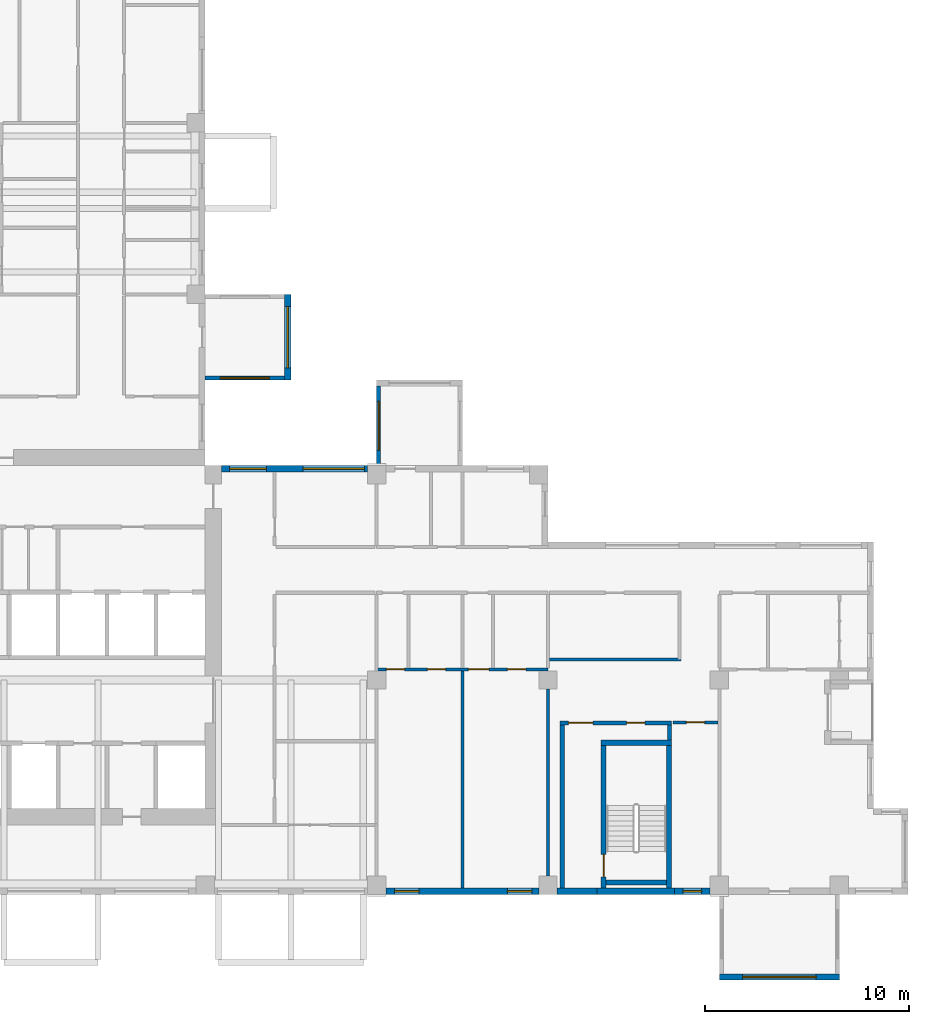
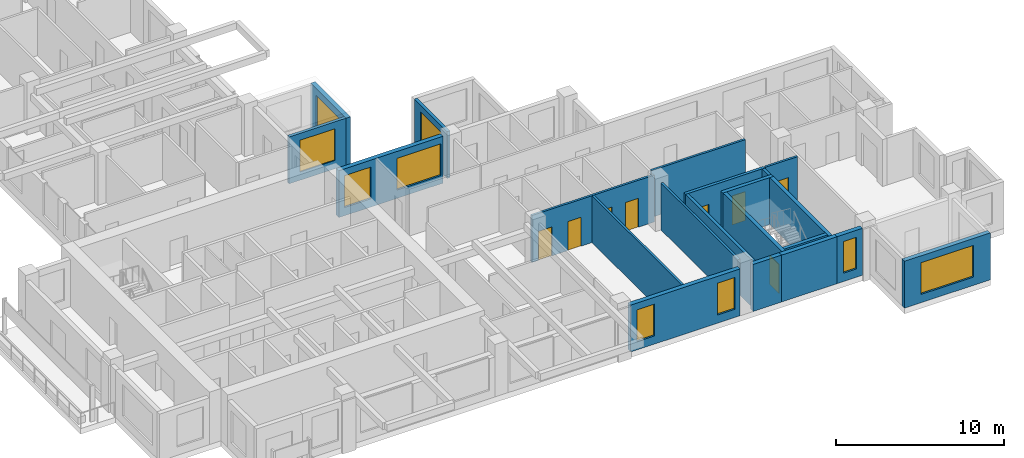
# One storey, part 4 of 12: 21 walls, 9 windows, 8 doors, 17 openings.
"""IFC4 building model written with IfcOpenShell, lengths in metres."""

from ifc_helpers import new_model, si_unit, direction, frame, frame_2d, origin, place, context, subcontext, project, spatial, rectangle, extrude, source, transform, mapped, material, layer, layer_set, type_object, element, fill, save


model = new_model("IFC4")

# Units and contexts
model_context = context("Model", 3, precision=1e-05, world=origin(), true_north=direction((0.0, 1.0)))
body_context = subcontext(model_context, "Body", "Model", "MODEL_VIEW")
ifc_project = project(units=[si_unit("LENGTHUNIT", "METRE"), si_unit("AREAUNIT", "SQUARE_METRE"), si_unit("VOLUMEUNIT", "CUBIC_METRE"), si_unit("PLANEANGLEUNIT", "RADIAN"), si_unit("MASSUNIT", "GRAM", prefix="KILO")], contexts=[model_context])

# Site, building, storey
site_placement = place(None, origin())
site = spatial("IfcSite", under=ifc_project, at=site_placement, CompositionType="ELEMENT")
building_placement = place(site_placement, origin())
building = spatial("IfcBuilding", under=site, at=building_placement, Name="Aurelian Terraces", CompositionType="ELEMENT")
storey_placement = place(building_placement, frame((0.0, 0.0, 215.8)))
storey = spatial("IfcBuildingStorey", under=building, at=storey_placement, Name="L48", CompositionType="ELEMENT", Elevation=215.8)

# Wall, openings, windows
ifc_material_1 = material(Name="Terracotta rainscreen cladding", Category="masonry")
ifc_layer_1 = layer(ifc_material_1, 0.3)
ifc_layer_set_1 = layer_set([ifc_layer_1], Name="EW-300")
wall_type_1 = type_object("IfcWallType", Name="EW-300", PredefinedType="STANDARD", material=ifc_layer_set_1)
shared_shape_1 = source(origin(), body_context, "Body", "SweptSolid", [
    extrude(rectangle(XDim=7.15, YDim=0.3, at=frame_2d((3.575, 0.0))), origin(), (0.0, 0.0, 1.0), 3.4),
])
wall_1_placement = place(storey_placement, frame((28.95, 20.85, 0.0), z_axis=(0.0, 0.0, 1.0), x_axis=(-1.0, 0.0, 0.0)))
wall_1 = element("IfcWall", 1, at=wall_1_placement, inside=storey, type_object=wall_type_1, Name="External wall L48 F07.17", PredefinedType="STANDARD", context=body_context, shape_type="MappedRepresentation", body=[
    mapped(shared_shape_1, transform((0.0, 0.0, 0.0), scale=1.0)),
])
shared_shape_2 = source(origin(), body_context, "Body", "SweptSolid", [
    extrude(rectangle(XDim=3.0, YDim=2.3, at=frame_2d((1.5, 1.15))), frame((0.0, 0.16, 0.0), z_axis=(0.0, -1.0, 0.0), x_axis=(1.0, 0.0, 0.0)), (0.0, 0.0, 1.0), 0.32),
])
opening_1_placement = place(wall_1_placement, frame((0.15, 0.0, 0.6)))
opening_1 = element("IfcOpeningElement", 2, at=opening_1_placement, cuts=wall_1, Name="Opening W3023", PredefinedType="OPENING", context=body_context, shape_type="MappedRepresentation", body=[
    mapped(shared_shape_2, transform((0.0, 0.0, 0.0), scale=1.0)),
])
shared_shape_3 = source(origin(), body_context, "Body", "SweptSolid", [
    extrude(rectangle(XDim=1.8, YDim=2.3, at=frame_2d((0.9, 1.15))), frame((0.0, 0.16, 0.0), z_axis=(0.0, -1.0, 0.0), x_axis=(1.0, 0.0, 0.0)), (0.0, 0.0, 1.0), 0.32),
])
opening_2_placement = place(wall_1_placement, frame((4.95, 0.0, 0.6)))
opening_2 = element("IfcOpeningElement", 3, at=opening_2_placement, cuts=wall_1, Name="Opening W1823", PredefinedType="OPENING", context=body_context, shape_type="MappedRepresentation", body=[
    mapped(shared_shape_3, transform((0.0, 0.0, 0.0), scale=1.0)),
])
ifc_material_2 = material(Name="Clear glazing", Category="glass")
window_type_1 = type_object("IfcWindowType", Name="W-3000x2300", PartitioningType="SINGLE_PANEL", PredefinedType="WINDOW", material=ifc_material_2)
shared_shape_4 = source(origin(), body_context, "Body", "SweptSolid", [
    extrude(rectangle(XDim=3.0, YDim=2.3, at=frame_2d((1.5, 1.15))), frame((0.0, 0.03, 0.0), z_axis=(0.0, -1.0, 0.0), x_axis=(1.0, 0.0, 0.0)), (0.0, 0.0, 1.0), 0.06),
])
window_1_placement = place(opening_1_placement, origin())
window_1 = element("IfcWindow", 4, at=window_1_placement, inside=storey, type_object=window_type_1, Name="Window L48 L48-F07-17-0", OverallHeight=2.3, OverallWidth=3.0, PartitioningType="SINGLE_PANEL", PredefinedType="WINDOW", context=body_context, shape_type="MappedRepresentation", body=[
    mapped(shared_shape_4, transform((0.0, 0.0, 0.0), scale=1.0)),
])
fill(opening_1, window_1)
window_type_2 = type_object("IfcWindowType", Name="W-1800x2300", PartitioningType="SINGLE_PANEL", PredefinedType="WINDOW", material=ifc_material_2)
shared_shape_5 = source(origin(), body_context, "Body", "SweptSolid", [
    extrude(rectangle(XDim=1.8, YDim=2.3, at=frame_2d((0.9, 1.15))), frame((0.0, 0.03, 0.0), z_axis=(0.0, -1.0, 0.0), x_axis=(1.0, 0.0, 0.0)), (0.0, 0.0, 1.0), 0.06),
])
window_2_placement = place(opening_2_placement, origin())
window_2 = element("IfcWindow", 5, at=window_2_placement, inside=storey, type_object=window_type_2, Name="Window L48 L48-F07-17-1", OverallHeight=2.3, OverallWidth=1.8, PartitioningType="SINGLE_PANEL", PredefinedType="WINDOW", context=body_context, shape_type="MappedRepresentation", body=[
    mapped(shared_shape_5, transform((0.0, 0.0, 0.0), scale=1.0)),
])
fill(opening_2, window_2)

shared_shape_6 = source(origin(), body_context, "Body", "SweptSolid", [
    extrude(rectangle(XDim=7.5, YDim=0.3, at=frame_2d((3.75, 0.0))), origin(), (0.0, 0.0, 1.0), 3.4),
])
wall_2_placement = place(storey_placement, frame((29.85, 0.15, 0.0), z_axis=(0.0, 0.0, 1.0), x_axis=(1.0, 0.0, 0.0)))
wall_2 = element("IfcWall", 6, at=wall_2_placement, inside=storey, type_object=wall_type_1, Name="External wall L48 F01.5", PredefinedType="STANDARD", context=body_context, shape_type="MappedRepresentation", body=[
    mapped(shared_shape_6, transform((0.0, 0.0, 0.0), scale=1.0)),
])
shared_shape_7 = source(origin(), body_context, "Body", "SweptSolid", [
    extrude(rectangle(XDim=1.2, YDim=2.3, at=frame_2d((0.6, 1.15))), frame((0.0, 0.16, 0.0), z_axis=(0.0, -1.0, 0.0), x_axis=(1.0, 0.0, 0.0)), (0.0, 0.0, 1.0), 0.32),
])
opening_3_placement = place(wall_2_placement, frame((0.4375, 0.0, 0.6)))
opening_3 = element("IfcOpeningElement", 7, at=opening_3_placement, cuts=wall_2, Name="Opening W1223", PredefinedType="OPENING", context=body_context, shape_type="MappedRepresentation", body=[
    mapped(shared_shape_7, transform((0.0, 0.0, 0.0), scale=1.0)),
])
opening_4_placement = place(wall_2_placement, frame((5.9625, 0.0, 0.6)))
opening_4 = element("IfcOpeningElement", 8, at=opening_4_placement, cuts=wall_2, Name="Opening W1223", PredefinedType="OPENING", context=body_context, shape_type="MappedRepresentation", body=[
    mapped(shared_shape_7, transform((0.0, 0.0, 0.0), scale=1.0)),
])
window_type_3 = type_object("IfcWindowType", Name="W-1200x2300", PartitioningType="SINGLE_PANEL", PredefinedType="WINDOW", material=ifc_material_2)
shared_shape_8 = source(origin(), body_context, "Body", "SweptSolid", [
    extrude(rectangle(XDim=1.2, YDim=2.3, at=frame_2d((0.6, 1.15))), frame((0.0, 0.03, 0.0), z_axis=(0.0, -1.0, 0.0), x_axis=(1.0, 0.0, 0.0)), (0.0, 0.0, 1.0), 0.06),
])
window_3_placement = place(opening_3_placement, origin())
window_3 = element("IfcWindow", 9, at=window_3_placement, inside=storey, type_object=window_type_3, Name="Window L48 L48-F01-05-0", OverallHeight=2.3, OverallWidth=1.2, PartitioningType="SINGLE_PANEL", PredefinedType="WINDOW", context=body_context, shape_type="MappedRepresentation", body=[
    mapped(shared_shape_8, transform((0.0, 0.0, 0.0), scale=1.0)),
])
fill(opening_3, window_3)
window_4_placement = place(opening_4_placement, origin())
window_4 = element("IfcWindow", 10, at=window_4_placement, inside=storey, type_object=window_type_3, Name="Window L48 L48-F01-05-1", OverallHeight=2.3, OverallWidth=1.2, PartitioningType="SINGLE_PANEL", PredefinedType="WINDOW", context=body_context, shape_type="MappedRepresentation", body=[
    mapped(shared_shape_8, transform((0.0, 0.0, 0.0), scale=1.0)),
])
fill(opening_4, window_4)

# Wall, opening, window
ifc_material_3 = material(Name="Concrete fc' 40 MPa", Category="concrete")
ifc_layer_2 = layer(ifc_material_3, 0.2)
ifc_layer_set_2 = layer_set([ifc_layer_2], Name="BOX BEARING WALL 200")
wall_type_2 = type_object("IfcWallType", Name="BOX BEARING WALL 200", PredefinedType="SOLIDWALL", material=ifc_layer_set_2)
shared_shape_9 = source(origin(), body_context, "Body", "SweptSolid", [
    extrude(rectangle(XDim=3.9, YDim=0.2, at=frame_2d((1.95, 0.0))), origin(), (0.0, 0.0, 1.0), 3.39),
])
wall_3_placement = place(storey_placement, frame((29.5, 21.0, 0.0), z_axis=(0.0, 0.0, 1.0), x_axis=(0.0, 1.0, 0.0)))
wall_3 = element("IfcWall", 11, at=wall_3_placement, inside=storey, type_object=wall_type_2, Name="Box return L48 J69.2", PredefinedType="SOLIDWALL", context=body_context, shape_type="MappedRepresentation", body=[
    mapped(shared_shape_9, transform((0.0, 0.0, 0.0), scale=1.0)),
])
shared_shape_10 = source(origin(), body_context, "Body", "SweptSolid", [
    extrude(rectangle(XDim=2.4, YDim=2.3, at=frame_2d((1.2, 1.15))), frame((0.0, 0.11, 0.0), z_axis=(0.0, -1.0, 0.0), x_axis=(1.0, 0.0, 0.0)), (0.0, 0.0, 1.0), 0.22),
])
opening_5_placement = place(wall_3_placement, frame((0.75, 0.0, 0.6)))
opening_5 = element("IfcOpeningElement", 12, at=opening_5_placement, cuts=wall_3, Name="Opening W2423", PredefinedType="OPENING", context=body_context, shape_type="MappedRepresentation", body=[
    mapped(shared_shape_10, transform((0.0, 0.0, 0.0), scale=1.0)),
])
window_type_4 = type_object("IfcWindowType", Name="W-2400x2300", PartitioningType="SINGLE_PANEL", PredefinedType="WINDOW", material=ifc_material_2)
shared_shape_11 = source(origin(), body_context, "Body", "SweptSolid", [
    extrude(rectangle(XDim=2.4, YDim=2.3, at=frame_2d((1.2, 1.15))), frame((0.0, 0.03, 0.0), z_axis=(0.0, -1.0, 0.0), x_axis=(1.0, 0.0, 0.0)), (0.0, 0.0, 1.0), 0.06),
])
window_5_placement = place(opening_5_placement, origin())
window_5 = element("IfcWindow", 13, at=window_5_placement, inside=storey, type_object=window_type_4, Name="Window L48 J69-S2", OverallHeight=2.3, OverallWidth=2.4, PartitioningType="SINGLE_PANEL", PredefinedType="WINDOW", context=body_context, shape_type="MappedRepresentation", body=[
    mapped(shared_shape_11, transform((0.0, 0.0, 0.0), scale=1.0)),
])
fill(opening_5, window_5)

shared_shape_12 = source(origin(), body_context, "Body", "SweptSolid", [
    extrude(rectangle(XDim=3.9, YDim=0.2, at=frame_2d((1.95, 0.0))), origin(), (0.0, 0.0, 1.0), 3.4),
])
wall_4_placement = place(storey_placement, frame((21.0, 25.3, 0.0), z_axis=(0.0, 0.0, 1.0), x_axis=(1.0, 0.0, 0.0)))
wall_4 = element("IfcWall", 14, at=wall_4_placement, inside=storey, type_object=wall_type_2, Name="Box return L48 J68.1", PredefinedType="SOLIDWALL", context=body_context, shape_type="MappedRepresentation", body=[
    mapped(shared_shape_12, transform((0.0, 0.0, 0.0), scale=1.0)),
])
opening_6_placement = place(wall_4_placement, frame((0.75, 0.0, 0.6)))
opening_6 = element("IfcOpeningElement", 15, at=opening_6_placement, cuts=wall_4, Name="Opening W2423", PredefinedType="OPENING", context=body_context, shape_type="MappedRepresentation", body=[
    mapped(shared_shape_10, transform((0.0, 0.0, 0.0), scale=1.0)),
])
window_6_placement = place(opening_6_placement, origin())
window_6 = element("IfcWindow", 16, at=window_6_placement, inside=storey, type_object=window_type_4, Name="Window L48 J68-S1", OverallHeight=2.3, OverallWidth=2.4, PartitioningType="SINGLE_PANEL", PredefinedType="WINDOW", context=body_context, shape_type="MappedRepresentation", body=[
    mapped(shared_shape_11, transform((0.0, 0.0, 0.0), scale=1.0)),
])
fill(opening_6, window_6)

ifc_layer_3 = layer(ifc_material_3, 0.3)
ifc_layer_set_3 = layer_set([ifc_layer_3], Name="BOX BEARING WALL 300")
wall_type_3 = type_object("IfcWallType", Name="BOX BEARING WALL 300", PredefinedType="SOLIDWALL", material=ifc_layer_set_3)
shared_shape_13 = source(origin(), body_context, "Body", "SweptSolid", [
    extrude(rectangle(XDim=4.2, YDim=0.3, at=frame_2d((2.1, 0.0))), origin(), (0.0, 0.0, 1.0), 3.4),
])
wall_5_placement = place(storey_placement, frame((25.05, 25.2, 0.0), z_axis=(0.0, 0.0, 1.0), x_axis=(0.0, 1.0, 0.0)))
wall_5 = element("IfcWall", 17, at=wall_5_placement, inside=storey, type_object=wall_type_3, Name="Box wall L48 J68", PredefinedType="SOLIDWALL", context=body_context, shape_type="MappedRepresentation", body=[
    mapped(shared_shape_13, transform((0.0, 0.0, 0.0), scale=1.0)),
])
opening_7_placement = place(wall_5_placement, frame((0.6, 0.0, 0.6)))
opening_7 = element("IfcOpeningElement", 18, at=opening_7_placement, cuts=wall_5, Name="Opening W3023", PredefinedType="OPENING", context=body_context, shape_type="MappedRepresentation", body=[
    mapped(shared_shape_2, transform((0.0, 0.0, 0.0), scale=1.0)),
])
window_7_placement = place(opening_7_placement, origin())
window_7 = element("IfcWindow", 19, at=window_7_placement, inside=storey, type_object=window_type_1, Name="Window L48 J68-F1", OverallHeight=2.3, OverallWidth=3.0, PartitioningType="SINGLE_PANEL", PredefinedType="WINDOW", context=body_context, shape_type="MappedRepresentation", body=[
    mapped(shared_shape_4, transform((0.0, 0.0, 0.0), scale=1.0)),
])
fill(opening_7, window_7)

# Walls
shared_shape_14 = source(origin(), body_context, "Body", "SweptSolid", [
    extrude(rectangle(XDim=1.95, YDim=0.3, at=frame_2d((0.975, 0.0))), origin(), (0.0, 0.0, 1.0), 3.4),
])
wall_6_placement = place(storey_placement, frame((38.25, 0.15, 0.0), z_axis=(0.0, 0.0, 1.0), x_axis=(1.0, 0.0, 0.0)))
element("IfcWall", 20, at=wall_6_placement, inside=storey, type_object=wall_type_1, Name="External wall L48 F01.6", PredefinedType="STANDARD", context=body_context, shape_type="MappedRepresentation", body=[
    mapped(shared_shape_14, transform((0.0, 0.0, 0.0), scale=1.0)),
])
ifc_layer_4 = layer(ifc_material_3, 0.3)
ifc_layer_set_4 = layer_set([ifc_layer_4], Name="STAIR BAY WALL 300")
wall_type_4 = type_object("IfcWallType", Name="STAIR BAY WALL 300", PredefinedType="SOLIDWALL", material=ifc_layer_set_4)
shared_shape_15 = source(origin(), body_context, "Body", "SweptSolid", [
    extrude(rectangle(XDim=3.8, YDim=0.3, at=frame_2d((1.9, 0.0))), origin(), (0.0, 0.0, 1.0), 3.4),
])
wall_7_placement = place(storey_placement, frame((40.2, 0.15, 0.0), z_axis=(0.0, 0.0, 1.0), x_axis=(1.0, 0.0, 0.0)))
element("IfcWall", 21, at=wall_7_placement, inside=storey, type_object=wall_type_4, Name="Stair bay wall L48 F01.6", PredefinedType="SOLIDWALL", context=body_context, shape_type="MappedRepresentation", body=[
    mapped(shared_shape_15, transform((0.0, 0.0, 0.0), scale=1.0)),
])

# Wall, opening, window
shared_shape_16 = source(origin(), body_context, "Body", "SweptSolid", [
    extrude(rectangle(XDim=1.75, YDim=0.3, at=frame_2d((0.875, 0.0))), origin(), (0.0, 0.0, 1.0), 3.4),
])
wall_8_placement = place(storey_placement, frame((44.0, 0.15, 0.0), z_axis=(0.0, 0.0, 1.0), x_axis=(1.0, 0.0, 0.0)))
wall_8 = element("IfcWall", 22, at=wall_8_placement, inside=storey, type_object=wall_type_1, Name="External wall L48 F01.6", PredefinedType="STANDARD", context=body_context, shape_type="MappedRepresentation", body=[
    mapped(shared_shape_16, transform((0.0, 0.0, 0.0), scale=1.0)),
])
shared_shape_17 = source(origin(), body_context, "Body", "SweptSolid", [
    extrude(rectangle(XDim=0.9, YDim=2.3, at=frame_2d((0.45, 1.15))), frame((0.0, 0.16, 0.0), z_axis=(0.0, -1.0, 0.0), x_axis=(1.0, 0.0, 0.0)), (0.0, 0.0, 1.0), 0.32),
])
opening_8_placement = place(wall_8_placement, frame((0.425, 0.0, 0.6)))
opening_8 = element("IfcOpeningElement", 23, at=opening_8_placement, cuts=wall_8, Name="Opening W0923", PredefinedType="OPENING", context=body_context, shape_type="MappedRepresentation", body=[
    mapped(shared_shape_17, transform((0.0, 0.0, 0.0), scale=1.0)),
])
window_type_5 = type_object("IfcWindowType", Name="W-900x2300", PartitioningType="SINGLE_PANEL", PredefinedType="WINDOW", material=ifc_material_2)
shared_shape_18 = source(origin(), body_context, "Body", "SweptSolid", [
    extrude(rectangle(XDim=0.9, YDim=2.3, at=frame_2d((0.45, 1.15))), frame((0.0, 0.03, 0.0), z_axis=(0.0, -1.0, 0.0), x_axis=(1.0, 0.0, 0.0)), (0.0, 0.0, 1.0), 0.06),
])
window_8_placement = place(opening_8_placement, origin())
window_8 = element("IfcWindow", 24, at=window_8_placement, inside=storey, type_object=window_type_5, Name="Window L48 L48-F01-06-P2", OverallHeight=2.3, OverallWidth=0.9, PartitioningType="SINGLE_PANEL", PredefinedType="WINDOW", context=body_context, shape_type="MappedRepresentation", body=[
    mapped(shared_shape_18, transform((0.0, 0.0, 0.0), scale=1.0)),
])
fill(opening_8, window_8)

shared_shape_19 = source(origin(), body_context, "Body", "SweptSolid", [
    extrude(rectangle(XDim=5.88, YDim=0.3, at=frame_2d((2.94, 0.0))), origin(), (0.0, 0.0, 1.0), 3.4),
])
wall_9_placement = place(storey_placement, frame((46.2, -4.05, 0.0), z_axis=(0.0, 0.0, 1.0), x_axis=(1.0, 0.0, 0.0)))
wall_9 = element("IfcWall", 25, at=wall_9_placement, inside=storey, type_object=wall_type_3, Name="Box wall L48 J67", PredefinedType="SOLIDWALL", context=body_context, shape_type="MappedRepresentation", body=[
    mapped(shared_shape_19, transform((0.0, 0.0, 0.0), scale=1.0)),
])
shared_shape_20 = source(origin(), body_context, "Body", "SweptSolid", [
    extrude(rectangle(XDim=3.6, YDim=2.3, at=frame_2d((1.8, 1.15))), frame((0.0, 0.16, 0.0), z_axis=(0.0, -1.0, 0.0), x_axis=(1.0, 0.0, 0.0)), (0.0, 0.0, 1.0), 0.32),
])
opening_9_placement = place(wall_9_placement, frame((1.14, 0.0, 0.6)))
opening_9 = element("IfcOpeningElement", 26, at=opening_9_placement, cuts=wall_9, Name="Opening W3623", PredefinedType="OPENING", context=body_context, shape_type="MappedRepresentation", body=[
    mapped(shared_shape_20, transform((0.0, 0.0, 0.0), scale=1.0)),
])
window_type_6 = type_object("IfcWindowType", Name="W-3600x2300", PartitioningType="SINGLE_PANEL", PredefinedType="WINDOW", material=ifc_material_2)
shared_shape_21 = source(origin(), body_context, "Body", "SweptSolid", [
    extrude(rectangle(XDim=3.6, YDim=2.3, at=frame_2d((1.8, 1.15))), frame((0.0, 0.03, 0.0), z_axis=(0.0, -1.0, 0.0), x_axis=(1.0, 0.0, 0.0)), (0.0, 0.0, 1.0), 0.06),
])
window_9_placement = place(opening_9_placement, origin())
window_9 = element("IfcWindow", 27, at=window_9_placement, inside=storey, type_object=window_type_6, Name="Window L48 J67-F1", OverallHeight=2.3, OverallWidth=3.6, PartitioningType="SINGLE_PANEL", PredefinedType="WINDOW", context=body_context, shape_type="MappedRepresentation", body=[
    mapped(shared_shape_21, transform((0.0, 0.0, 0.0), scale=1.0)),
])
fill(opening_9, window_9)

# Wall, opening, door
ifc_layer_5 = layer(ifc_material_3, 0.25)
ifc_layer_set_5 = layer_set([ifc_layer_5], Name="Stair enclosure wall 250")
wall_type_5 = type_object("IfcWallType", Name="Stair enclosure wall 250", PredefinedType="SOLIDWALL", material=ifc_layer_set_5)
shared_shape_22 = source(origin(), body_context, "Body", "SweptSolid", [
    extrude(rectangle(XDim=7.0, YDim=0.25, at=frame_2d((3.5, 0.0))), origin(), (0.0, 0.0, 1.0), 3.4),
])
wall_10_placement = place(storey_placement, frame((40.525, 0.3, 0.0), z_axis=(0.0, 0.0, 1.0), x_axis=(0.0, 1.0, 0.0)))
wall_10 = element("IfcWall", 28, at=wall_10_placement, inside=storey, type_object=wall_type_5, Name="L48 core wall ST-S2-W", PredefinedType="SOLIDWALL", context=body_context, shape_type="MappedRepresentation", body=[
    mapped(shared_shape_22, transform((0.0, 0.0, 0.0), scale=1.0)),
])
shared_shape_23 = source(origin(), body_context, "Body", "SweptSolid", [
    extrude(rectangle(XDim=1.1, YDim=2.1, at=frame_2d((0.55, 1.05))), frame((0.0, 0.135, 0.0), z_axis=(0.0, -1.0, 0.0), x_axis=(1.0, 0.0, 0.0)), (0.0, 0.0, 1.0), 0.27),
])
opening_10_placement = place(wall_10_placement, frame((0.55, 0.0, 0.0)))
opening_10 = element("IfcOpeningElement", 29, at=opening_10_placement, cuts=wall_10, Name="Opening 65117", PredefinedType="OPENING", context=body_context, shape_type="MappedRepresentation", body=[
    mapped(shared_shape_23, transform((0.0, 0.0, 0.0), scale=1.0)),
])
ifc_material_4 = material(Name="Steel door leaf", Category="steel")
door_type_1 = type_object("IfcDoorType", Name="Core fire door 1100x2100", OperationType="SINGLE_SWING_LEFT", PredefinedType="DOOR", material=ifc_material_4)
shared_shape_24 = source(origin(), body_context, "Body", "SweptSolid", [
    extrude(rectangle(XDim=1.1, YDim=2.1, at=frame_2d((0.55, 1.05))), frame((0.0, 0.025, 0.0), z_axis=(0.0, -1.0, 0.0), x_axis=(1.0, 0.0, 0.0)), (0.0, 0.0, 1.0), 0.05),
])
door_1_placement = place(opening_10_placement, origin())
door_1 = element("IfcDoor", 30, at=door_1_placement, inside=storey, type_object=door_type_1, Name="Stair door 65117", OperationType="SINGLE_SWING_LEFT", OverallHeight=2.1, OverallWidth=1.1, PredefinedType="DOOR", context=body_context, shape_type="MappedRepresentation", body=[
    mapped(shared_shape_24, transform((0.0, 0.0, 0.0), scale=1.0)),
])
fill(opening_10, door_1)

# Walls
wall_11_placement = place(storey_placement, frame((43.725, 0.3, 0.0), z_axis=(0.0, 0.0, 1.0), x_axis=(0.0, 1.0, 0.0)))
element("IfcWall", 31, at=wall_11_placement, inside=storey, type_object=wall_type_5, Name="L48 core wall ST-S2-E", PredefinedType="SOLIDWALL", context=body_context, shape_type="MappedRepresentation", body=[
    mapped(shared_shape_22, transform((0.0, 0.0, 0.0), scale=1.0)),
])
shared_shape_25 = source(origin(), body_context, "Body", "SweptSolid", [
    extrude(rectangle(XDim=3.45, YDim=0.25, at=frame_2d((1.725, 0.0))), origin(), (0.0, 0.0, 1.0), 3.4),
])
wall_12_placement = place(storey_placement, frame((40.4, 7.425, 0.0), z_axis=(0.0, 0.0, 1.0), x_axis=(1.0, 0.0, 0.0)))
element("IfcWall", 32, at=wall_12_placement, inside=storey, type_object=wall_type_5, Name="L48 core wall ST-S2-N", PredefinedType="SOLIDWALL", context=body_context, shape_type="MappedRepresentation", body=[
    mapped(shared_shape_25, transform((0.0, 0.0, 0.0), scale=1.0)),
])
shared_shape_26 = source(origin(), body_context, "Body", "SweptSolid", [
    extrude(rectangle(XDim=2.95, YDim=0.25, at=frame_2d((1.475, 0.0))), origin(), (0.0, 0.0, 1.0), 3.4),
])
wall_13_placement = place(storey_placement, frame((40.65, 0.575, 0.0), z_axis=(0.0, 0.0, 1.0), x_axis=(1.0, 0.0, 0.0)))
element("IfcWall", 33, at=wall_13_placement, inside=storey, type_object=wall_type_5, Name="L48 core wall ST-S2-SS", PredefinedType="SOLIDWALL", context=body_context, shape_type="MappedRepresentation", body=[
    mapped(shared_shape_26, transform((0.0, 0.0, 0.0), scale=1.0)),
])

# Wall, openings, doors
ifc_material_5 = material(Name="Gypsum board on steel studs", Category="steel")
ifc_layer_6 = layer(ifc_material_5, 0.2)
ifc_layer_set_6 = layer_set([ifc_layer_6], Name="Core partition 200")
wall_type_6 = type_object("IfcWallType", Name="Core partition 200", PredefinedType="PARTITIONING", material=ifc_layer_set_6)
shared_shape_27 = source(origin(), body_context, "Body", "SweptSolid", [
    extrude(rectangle(XDim=5.45, YDim=0.2, at=frame_2d((2.725, 0.0))), origin(), (0.0, 0.0, 1.0), 3.4),
])
wall_14_placement = place(storey_placement, frame((38.4, 8.4, 0.0), z_axis=(0.0, 0.0, 1.0), x_axis=(1.0, 0.0, 0.0)))
wall_14 = element("IfcWall", 34, at=wall_14_placement, inside=storey, type_object=wall_type_6, Name="L48 core wall ST-S2-BN", PredefinedType="PARTITIONING", context=body_context, shape_type="MappedRepresentation", body=[
    mapped(shared_shape_27, transform((0.0, 0.0, 0.0), scale=1.0)),
])
shared_shape_28 = source(origin(), body_context, "Body", "SweptSolid", [
    extrude(rectangle(XDim=1.2, YDim=2.1, at=frame_2d((0.6, 1.05))), frame((0.0, 0.11, 0.0), z_axis=(0.0, -1.0, 0.0), x_axis=(1.0, 0.0, 0.0)), (0.0, 0.0, 1.0), 0.22),
])
opening_11_placement = place(wall_14_placement, frame((0.4, 0.0, 0.0)))
opening_11 = element("IfcOpeningElement", 35, at=opening_11_placement, cuts=wall_14, Name="Opening 65118", PredefinedType="OPENING", context=body_context, shape_type="MappedRepresentation", body=[
    mapped(shared_shape_28, transform((0.0, 0.0, 0.0), scale=1.0)),
])
shared_shape_29 = source(origin(), body_context, "Body", "SweptSolid", [
    extrude(rectangle(XDim=0.9, YDim=2.1, at=frame_2d((0.45, 1.05))), frame((0.0, 0.11, 0.0), z_axis=(0.0, -1.0, 0.0), x_axis=(1.0, 0.0, 0.0)), (0.0, 0.0, 1.0), 0.22),
])
opening_12_placement = place(wall_14_placement, frame((3.25, 0.0, 0.0)))
opening_12 = element("IfcOpeningElement", 36, at=opening_12_placement, cuts=wall_14, Name="Opening 65119", PredefinedType="OPENING", context=body_context, shape_type="MappedRepresentation", body=[
    mapped(shared_shape_29, transform((0.0, 0.0, 0.0), scale=1.0)),
])
door_type_2 = type_object("IfcDoorType", Name="Core riser door 900x2100", OperationType="SINGLE_SWING_LEFT", PredefinedType="DOOR", material=ifc_material_4)
shared_shape_30 = source(origin(), body_context, "Body", "SweptSolid", [
    extrude(rectangle(XDim=0.9, YDim=2.1, at=frame_2d((0.45, 1.05))), frame((0.0, 0.025, 0.0), z_axis=(0.0, -1.0, 0.0), x_axis=(1.0, 0.0, 0.0)), (0.0, 0.0, 1.0), 0.05),
])
door_2_placement = place(opening_12_placement, origin())
door_2 = element("IfcDoor", 37, at=door_2_placement, inside=storey, type_object=door_type_2, Name="Riser door 65119", OperationType="SINGLE_SWING_LEFT", OverallHeight=2.1, OverallWidth=0.9, PredefinedType="DOOR", context=body_context, shape_type="MappedRepresentation", body=[
    mapped(shared_shape_30, transform((0.0, 0.0, 0.0), scale=1.0)),
])
fill(opening_12, door_2)
door_type_3 = type_object("IfcDoorType", Name="Core fire door 1200x2100 right", OperationType="SINGLE_SWING_RIGHT", PredefinedType="DOOR", material=ifc_material_4)
shared_shape_31 = source(origin(), body_context, "Body", "SweptSolid", [
    extrude(rectangle(XDim=1.2, YDim=2.1, at=frame_2d((0.6, 1.05))), frame((0.0, 0.025, 0.0), z_axis=(0.0, -1.0, 0.0), x_axis=(1.0, 0.0, 0.0)), (0.0, 0.0, 1.0), 0.05),
])
door_3_placement = place(opening_11_placement, origin())
door_3 = element("IfcDoor", 38, at=door_3_placement, inside=storey, type_object=door_type_3, Name="Vestibule door 65118", OperationType="SINGLE_SWING_RIGHT", OverallHeight=2.1, OverallWidth=1.2, PredefinedType="DOOR", context=body_context, shape_type="MappedRepresentation", body=[
    mapped(shared_shape_31, transform((0.0, 0.0, 0.0), scale=1.0)),
])
fill(opening_11, door_3)

# Walls
shared_shape_32 = source(origin(), body_context, "Body", "SweptSolid", [
    extrude(rectangle(XDim=0.75, YDim=0.2, at=frame_2d((0.375, 0.0))), origin(), (0.0, 0.0, 1.0), 3.4),
])
wall_15_placement = place(storey_placement, frame((43.75, 7.55, 0.0), z_axis=(0.0, 0.0, 1.0), x_axis=(0.0, 1.0, 0.0)))
element("IfcWall", 39, at=wall_15_placement, inside=storey, type_object=wall_type_6, Name="L48 core wall ST-S2-RE", PredefinedType="PARTITIONING", context=body_context, shape_type="MappedRepresentation", body=[
    mapped(shared_shape_32, transform((0.0, 0.0, 0.0), scale=1.0)),
])
shared_shape_33 = source(origin(), body_context, "Body", "SweptSolid", [
    extrude(rectangle(XDim=8.0, YDim=0.2, at=frame_2d((4.0, 0.0))), origin(), (0.0, 0.0, 1.0), 3.4),
])
wall_16_placement = place(storey_placement, frame((38.5, 0.3, 0.0), z_axis=(0.0, 0.0, 1.0), x_axis=(0.0, 1.0, 0.0)))
element("IfcWall", 40, at=wall_16_placement, inside=storey, type_object=wall_type_6, Name="L48 core wall ST-S2-VW", PredefinedType="PARTITIONING", context=body_context, shape_type="MappedRepresentation", body=[
    mapped(shared_shape_33, transform((0.0, 0.0, 0.0), scale=1.0)),
])
ifc_layer_7 = layer(ifc_material_5, 0.15)
ifc_layer_set_7 = layer_set([ifc_layer_7], Name="Partition 150")
wall_type_7 = type_object("IfcWallType", Name="Partition 150", PredefinedType="PARTITIONING", material=ifc_layer_set_7)
shared_shape_34 = source(origin(), body_context, "Body", "SweptSolid", [
    extrude(rectangle(XDim=6.45, YDim=0.15, at=frame_2d((3.225, 0.0))), origin(), (0.0, 0.0, 1.0), 3.4),
])
wall_17_placement = place(storey_placement, frame((37.875, 11.5, 0.0), z_axis=(0.0, 0.0, 1.0), x_axis=(1.0, 0.0, 0.0)))
element("IfcWall", 41, at=wall_17_placement, inside=storey, type_object=wall_type_7, Name="Partition", PredefinedType="PARTITIONING", context=body_context, shape_type="MappedRepresentation", body=[
    mapped(shared_shape_34, transform((0.0, 0.0, 0.0), scale=1.0)),
])
ifc_layer_8 = layer(ifc_material_5, 0.15)
ifc_layer_set_8 = layer_set([ifc_layer_8], Name="Fire partition 150")
wall_type_8 = type_object("IfcWallType", Name="Fire partition 150", PredefinedType="PARTITIONING", material=ifc_layer_set_8)
shared_shape_35 = source(origin(), body_context, "Body", "SweptSolid", [
    extrude(rectangle(XDim=9.152, YDim=0.15, at=frame_2d((4.576, 0.0))), origin(), (0.0, 0.0, 1.0), 3.4),
])
wall_18_placement = place(storey_placement, frame((37.8, 0.899, 0.0), z_axis=(0.0, 0.0, 1.0), x_axis=(0.0, 1.0, 0.0)))
element("IfcWall", 42, at=wall_18_placement, inside=storey, type_object=wall_type_8, Name="Party wall", PredefinedType="PARTITIONING", context=body_context, shape_type="MappedRepresentation", body=[
    mapped(shared_shape_35, transform((0.0, 0.0, 0.0), scale=1.0)),
])

# Wall, openings, doors
shared_shape_36 = source(origin(), body_context, "Body", "SweptSolid", [
    extrude(rectangle(XDim=8.4, YDim=0.15, at=frame_2d((4.2, 0.0))), origin(), (0.0, 0.0, 1.0), 3.4),
])
wall_19_placement = place(storey_placement, frame((37.8, 11.025, 0.0), z_axis=(0.0, 0.0, 1.0), x_axis=(-1.0, 0.0, 0.0)))
wall_19 = element("IfcWall", 43, at=wall_19_placement, inside=storey, type_object=wall_type_7, Name="Partition", PredefinedType="PARTITIONING", context=body_context, shape_type="MappedRepresentation", body=[
    mapped(shared_shape_36, transform((0.0, 0.0, 0.0), scale=1.0)),
])
shared_shape_37 = source(origin(), body_context, "Body", "SweptSolid", [
    extrude(rectangle(XDim=0.9, YDim=2.1, at=frame_2d((0.45, 1.05))), frame((0.0, 0.085, 0.0), z_axis=(0.0, -1.0, 0.0), x_axis=(1.0, 0.0, 0.0)), (0.0, 0.0, 1.0), 0.17),
])
opening_13_placement = place(wall_19_placement, frame((7.025, 0.0, 0.0)))
opening_13 = element("IfcOpeningElement", 44, at=opening_13_placement, cuts=wall_19, Name="Opening 748008", PredefinedType="OPENING", context=body_context, shape_type="MappedRepresentation", body=[
    mapped(shared_shape_37, transform((0.0, 0.0, 0.0), scale=1.0)),
])
opening_14_placement = place(wall_19_placement, frame((5.0125, 0.0, 0.0)))
opening_14 = element("IfcOpeningElement", 45, at=opening_14_placement, cuts=wall_19, Name="Opening 748009", PredefinedType="OPENING", context=body_context, shape_type="MappedRepresentation", body=[
    mapped(shared_shape_37, transform((0.0, 0.0, 0.0), scale=1.0)),
])
shared_shape_38 = source(origin(), body_context, "Body", "SweptSolid", [
    extrude(rectangle(XDim=1.0, YDim=2.1, at=frame_2d((0.5, 1.05))), frame((0.0, 0.085, 0.0), z_axis=(0.0, -1.0, 0.0), x_axis=(1.0, 0.0, 0.0)), (0.0, 0.0, 1.0), 0.17),
])
opening_15_placement = place(wall_19_placement, frame((2.9, 0.0, 0.0)))
opening_15 = element("IfcOpeningElement", 46, at=opening_15_placement, cuts=wall_19, Name="Opening 748011", PredefinedType="OPENING", context=body_context, shape_type="MappedRepresentation", body=[
    mapped(shared_shape_38, transform((0.0, 0.0, 0.0), scale=1.0)),
])
opening_16_placement = place(wall_19_placement, frame((1.0875, 0.0, 0.0)))
opening_16 = element("IfcOpeningElement", 47, at=opening_16_placement, cuts=wall_19, Name="Opening 748012", PredefinedType="OPENING", context=body_context, shape_type="MappedRepresentation", body=[
    mapped(shared_shape_37, transform((0.0, 0.0, 0.0), scale=1.0)),
])
ifc_material_6 = material(Name="Timber door leaf", Category="wood")
door_type_4 = type_object("IfcDoorType", Name="Room door 1000x2100 right", OperationType="SINGLE_SWING_RIGHT", PredefinedType="DOOR", material=ifc_material_6)
shared_shape_39 = source(origin(), body_context, "Body", "SweptSolid", [
    extrude(rectangle(XDim=1.0, YDim=2.1, at=frame_2d((0.5, 1.05))), frame((0.0, 0.025, 0.0), z_axis=(0.0, -1.0, 0.0), x_axis=(1.0, 0.0, 0.0)), (0.0, 0.0, 1.0), 0.05),
])
door_4_placement = place(opening_15_placement, origin())
door_4 = element("IfcDoor", 48, at=door_4_placement, inside=storey, type_object=door_type_4, Name="Door 748011", OperationType="SINGLE_SWING_RIGHT", OverallHeight=2.1, OverallWidth=1.0, PredefinedType="DOOR", context=body_context, shape_type="MappedRepresentation", body=[
    mapped(shared_shape_39, transform((0.0, 0.0, 0.0), scale=1.0)),
])
fill(opening_15, door_4)
door_type_5 = type_object("IfcDoorType", Name="Room door 900x2100 left", OperationType="SINGLE_SWING_LEFT", PredefinedType="DOOR", material=ifc_material_6)
door_5_placement = place(opening_13_placement, origin())
door_5 = element("IfcDoor", 49, at=door_5_placement, inside=storey, type_object=door_type_5, Name="Door 748008", OperationType="SINGLE_SWING_LEFT", OverallHeight=2.1, OverallWidth=0.9, PredefinedType="DOOR", context=body_context, shape_type="MappedRepresentation", body=[
    mapped(shared_shape_30, transform((0.0, 0.0, 0.0), scale=1.0)),
])
fill(opening_13, door_5)
door_type_6 = type_object("IfcDoorType", Name="Room door 900x2100 right", OperationType="SINGLE_SWING_RIGHT", PredefinedType="DOOR", material=ifc_material_6)
door_6_placement = place(opening_14_placement, origin())
door_6 = element("IfcDoor", 50, at=door_6_placement, inside=storey, type_object=door_type_6, Name="Door 748009", OperationType="SINGLE_SWING_RIGHT", OverallHeight=2.1, OverallWidth=0.9, PredefinedType="DOOR", context=body_context, shape_type="MappedRepresentation", body=[
    mapped(shared_shape_30, transform((0.0, 0.0, 0.0), scale=1.0)),
])
fill(opening_14, door_6)
door_7_placement = place(opening_16_placement, origin())
door_7 = element("IfcDoor", 51, at=door_7_placement, inside=storey, type_object=door_type_5, Name="Door 748012", OperationType="SINGLE_SWING_LEFT", OverallHeight=2.1, OverallWidth=0.9, PredefinedType="DOOR", context=body_context, shape_type="MappedRepresentation", body=[
    mapped(shared_shape_30, transform((0.0, 0.0, 0.0), scale=1.0)),
])
fill(opening_16, door_7)

# Wall, opening, door
shared_shape_40 = source(origin(), body_context, "Body", "SweptSolid", [
    extrude(rectangle(XDim=2.2, YDim=0.15, at=frame_2d((1.1, 0.0))), origin(), (0.0, 0.0, 1.0), 3.4),
])
wall_20_placement = place(storey_placement, frame((46.125, 8.425, 0.0), z_axis=(0.0, 0.0, 1.0), x_axis=(-1.0, 0.0, 0.0)))
wall_20 = element("IfcWall", 52, at=wall_20_placement, inside=storey, type_object=wall_type_7, Name="Partition", PredefinedType="PARTITIONING", context=body_context, shape_type="MappedRepresentation", body=[
    mapped(shared_shape_40, transform((0.0, 0.0, 0.0), scale=1.0)),
])
opening_17_placement = place(wall_20_placement, frame((0.65, 0.0, 0.0)))
opening_17 = element("IfcOpeningElement", 53, at=opening_17_placement, cuts=wall_20, Name="Opening 748006", PredefinedType="OPENING", context=body_context, shape_type="MappedRepresentation", body=[
    mapped(shared_shape_37, transform((0.0, 0.0, 0.0), scale=1.0)),
])
door_8_placement = place(opening_17_placement, origin())
door_8 = element("IfcDoor", 54, at=door_8_placement, inside=storey, type_object=door_type_5, Name="Door 748006", OperationType="SINGLE_SWING_LEFT", OverallHeight=2.1, OverallWidth=0.9, PredefinedType="DOOR", context=body_context, shape_type="MappedRepresentation", body=[
    mapped(shared_shape_30, transform((0.0, 0.0, 0.0), scale=1.0)),
])
fill(opening_17, door_8)

# Wall
shared_shape_41 = source(origin(), body_context, "Body", "SweptSolid", [
    extrude(rectangle(XDim=10.65, YDim=0.15, at=frame_2d((5.325, 0.0))), origin(), (0.0, 0.0, 1.0), 3.4),
])
wall_21_placement = place(storey_placement, frame((33.6, 0.3, 0.0), z_axis=(0.0, 0.0, 1.0), x_axis=(0.0, 1.0, 0.0)))
element("IfcWall", 55, at=wall_21_placement, inside=storey, type_object=wall_type_7, Name="Partition", PredefinedType="PARTITIONING", context=body_context, shape_type="MappedRepresentation", body=[
    mapped(shared_shape_41, transform((0.0, 0.0, 0.0), scale=1.0)),
])

save(model, "model.ifc")
